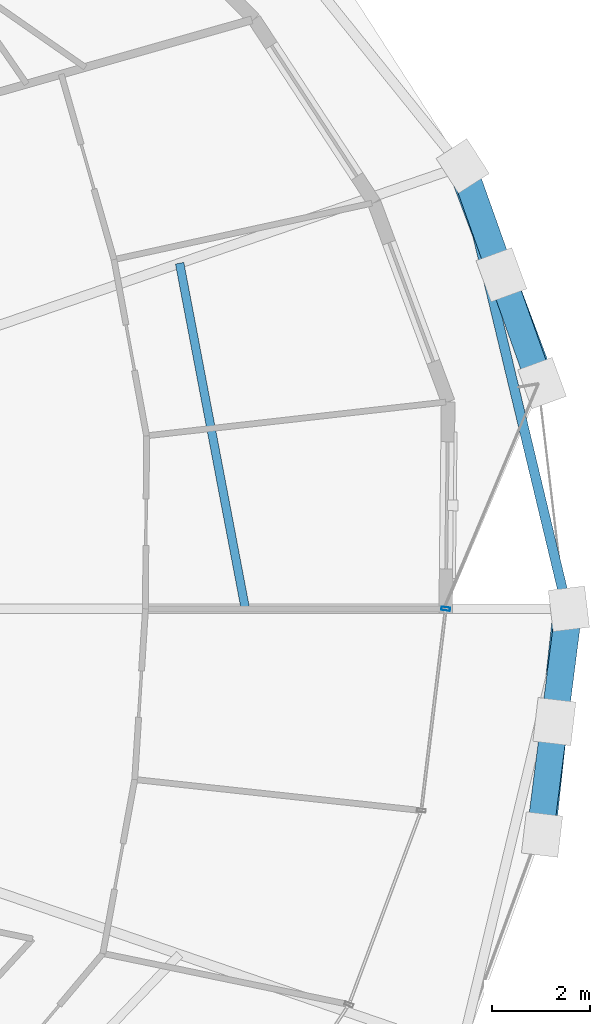
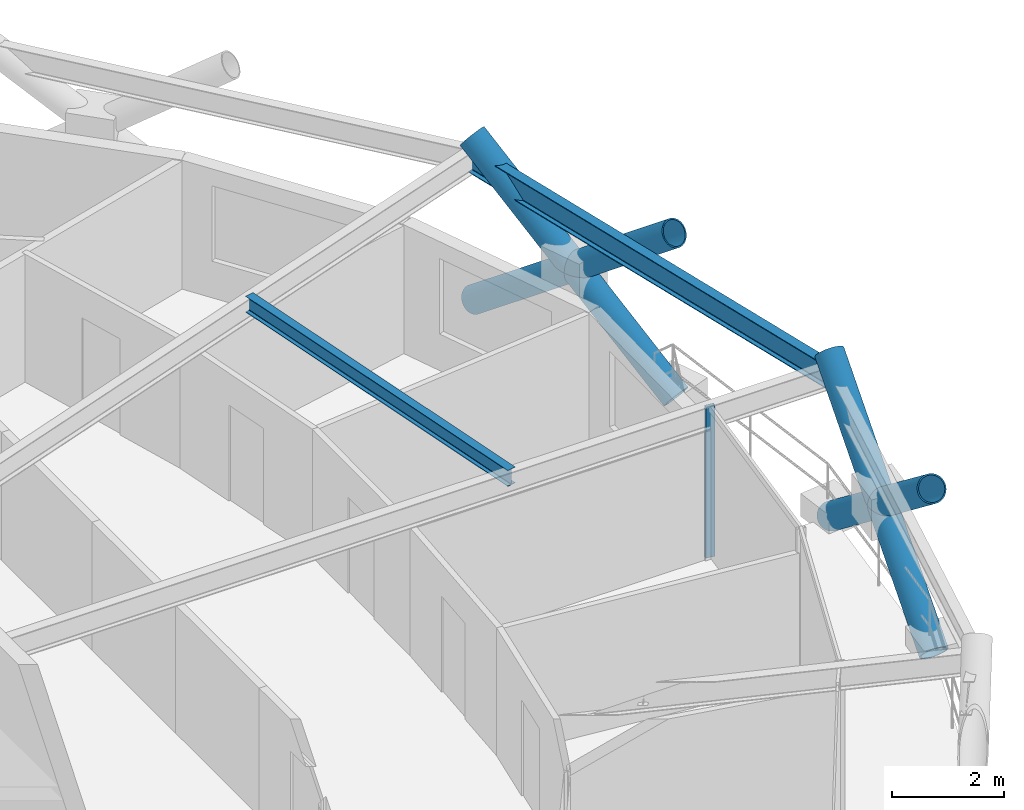
# One storey, part 10 of 20: 7 members, 2 beams, 1 element without a shape of its own.
"""IFC4 building model written with IfcOpenShell, lengths in metres."""

from ifc_helpers import new_model, si_unit, direction, frame, origin, origin_2d, place, context, subcontext, project, spatial, hollow_rectangle, hollow_circle, i_section, extrude, material, layer, layer_set, material_profile, profile_set, type_object, element, aggregate, save


model = new_model("IFC4")

# Units and contexts
model_context = context("Model", 3, precision=1e-05, world=origin(), true_north=direction((0.0, 1.0)))
body_context = subcontext(model_context, "Body", "Model", "MODEL_VIEW")
ifc_project = project(units=[si_unit("LENGTHUNIT", "METRE"), si_unit("AREAUNIT", "SQUARE_METRE"), si_unit("VOLUMEUNIT", "CUBIC_METRE"), si_unit("PLANEANGLEUNIT", "RADIAN"), si_unit("MASSUNIT", "GRAM", prefix="KILO")], contexts=[model_context])

# Site, building, storey
site_placement = place(None, origin())
site = spatial("IfcSite", under=ifc_project, at=site_placement, CompositionType="ELEMENT")
building_placement = place(site_placement, origin())
building = spatial("IfcBuilding", under=site, at=building_placement, Name="Veldorina Hangang Commons", CompositionType="ELEMENT")
storey_placement = place(building_placement, frame((0.0, 0.0, 131.60009765625)))
storey = spatial("IfcBuildingStorey", under=building, at=storey_placement, Name="L33", CompositionType="ELEMENT", Elevation=131.60009765625)

# Beams
ifc_material_1 = material(Name="Steel SM355-TMC", Category="steel")
ifc_material_profile_1 = material_profile(ifc_material_1, i_section(OverallWidth=0.175048828125, OverallDepth=0.35009765625, WebThickness=0.007080078125, FlangeThickness=0.010986328125, FilletRadius=0.012939453125, at=origin_2d()), Name="H-350x175x7x11")
ifc_profile_set_1 = profile_set([ifc_material_profile_1], Name="Steel SM355-TMC")
beam_type_1 = type_object("IfcBeamType", Name="BM-JST350", PredefinedType="JOIST", material=ifc_profile_set_1)
beam_1_placement = place(storey_placement, frame((53.9228515625, 24.0, 3.1748046875), z_axis=(-0.186879924377, 0.98238276342, 0.0), x_axis=(-0.98238276342, -0.186879924377, 0.0)))
element("IfcBeam", 1, at=beam_1_placement, inside=storey, type_object=beam_type_1, Name="L33 secondary floor joist 01", PredefinedType="JOIST", context=body_context, shape_type="SweptSolid", body=[
    extrude(i_section(OverallWidth=0.175048828125, OverallDepth=0.35009765625, WebThickness=0.007080078125, FlangeThickness=0.010986328125, FilletRadius=0.012939453125, at=origin_2d()), origin(), (0.0, 0.0, 1.0), 7.19970703125),
])
ifc_material_2 = material(Name="Steel SM420-TMC", Category="steel")
ifc_material_profile_2 = material_profile(ifc_material_2, i_section(OverallWidth=0.199951171875, OverallDepth=0.5, WebThickness=0.010009765625, FlangeThickness=0.01611328125, FilletRadius=0.01611328125, at=origin_2d()), Name="H-500x200x10x16")
ifc_profile_set_2 = profile_set([ifc_material_profile_2], Name="Steel SM420-TMC")
beam_type_2 = type_object("IfcBeamType", Name="BM-RB500", PredefinedType="BEAM", material=ifc_profile_set_2)
beam_2_placement = place(storey_placement, frame((60.507080078125, 24.0, 3.099853515625), z_axis=(-0.23310115585, 0.972452493, 0.0), x_axis=(-0.972452493, -0.23310115585, 0.0)))
element("IfcBeam", 2, at=beam_2_placement, inside=storey, type_object=beam_type_2, Name="L33 perimeter hoop ring beam 00", PredefinedType="BEAM", context=body_context, shape_type="SweptSolid", body=[
    extrude(i_section(OverallWidth=0.199951171875, OverallDepth=0.5, WebThickness=0.010009765625, FlangeThickness=0.01611328125, FilletRadius=0.01611328125, at=origin_2d()), origin(), (0.0, 0.0, 1.0), 9.308837890625),
])

# Curtain wall, member
ifc_material_3 = material(Name="Glass Low-E Triple IGU", Category="glass")
ifc_layer = layer(ifc_material_3, 0.179931640625)
ifc_layer_set = layer_set([ifc_layer], Name="Glass Low-E Triple IGU")
curtain_wall_type = type_object("IfcCurtainWallType", Name="CW-SYS-Z2", PredefinedType="NOTDEFINED", material=ifc_layer_set)
curtain_wall_placement = place(storey_placement, origin())
curtain_wall = element("IfcCurtainWall", 3, at=curtain_wall_placement, inside=storey, type_object=curtain_wall_type, Name="L33 unitised curtain wall CW-L33-R2", PredefinedType="NOTDEFINED")
ifc_material_4 = material(Name="Aluminium Anodized AA6063-T6", Category="aluminium")
ifc_material_profile_3 = material_profile(ifc_material_4, hollow_rectangle(XDim=0.070068359375, YDim=0.179931640625, WallThickness=0.00390625, at=origin_2d()), Name="ALU-RHS-180x70x4")
ifc_profile_set_3 = profile_set([ifc_material_profile_3], Name="Aluminium Anodized AA6063-T6")
member_type_1 = type_object("IfcMemberType", Name="CW-MUL-180", PredefinedType="MULLION", material=ifc_profile_set_3)
member_1_placement = place(storey_placement, frame((58.023681640625, 24.0, 0.0), z_axis=(0.0, 0.0, 1.0), x_axis=(-0.120240799481, -0.992744755786, 0.0)))
member_1 = element("IfcMember", 4, at=member_1_placement, type_object=member_type_1, Name="CW-L33-R2 vertical mullion 5", PredefinedType="MULLION", context=body_context, shape_type="SweptSolid", body=[
    extrude(hollow_rectangle(XDim=0.070068359375, YDim=0.179931640625, WallThickness=0.00390625, at=origin_2d()), origin(), (0.0, 0.0, 1.0), 3.309814453125),
])
aggregate(curtain_wall, [member_1])

# Members
ifc_material_profile_4 = material_profile(ifc_material_2, hollow_circle(Radius=0.27490234375, WallThickness=0.028076171875, at=origin_2d()), Name="CHS-550x28")
ifc_profile_set_4 = profile_set([ifc_material_profile_4], Name="Steel SM420-TMC")
member_type_2 = type_object("IfcMemberType", Name="DG-CHS550", PredefinedType="BRACE", material=ifc_profile_set_4)
member_2_placement = place(storey_placement, frame((59.9951171875, 28.619873046875, 0.0), z_axis=(-0.279724919403, 0.745153025429, 0.605393209541), x_axis=(-0.936208287045, -0.351445647674, 0.0)))
element("IfcMember", 5, at=member_2_placement, inside=storey, type_object=member_type_2, Name="L33 continuous perimeter diagrid brace 01", PredefinedType="BRACE", context=body_context, shape_type="SweptSolid", body=[
    extrude(hollow_circle(Radius=0.27490234375, WallThickness=0.028076171875, at=origin_2d()), origin(), (0.0, 0.0, 1.0), 5.9462890625),
])
member_3_placement = place(storey_placement, frame((58.370849609375, 33.062255859375, 0.0), z_axis=(0.266707282847, -0.749163908521, 0.606317296013), x_axis=(0.942080493467, 0.335386856972, 0.0)))
element("IfcMember", 6, at=member_3_placement, inside=storey, type_object=member_type_2, Name="L33 split perimeter diagrid lower brace 02", PredefinedType="BRACE", context=body_context, shape_type="SweptSolid", body=[
    extrude(hollow_circle(Radius=0.27490234375, WallThickness=0.028076171875, at=origin_2d()), origin(), (0.0, 0.0, 1.0), 2.970458984375),
])
member_4_placement = place(storey_placement, frame((59.1630859375, 30.8369140625, 1.801025390625), z_axis=(0.266456401721, -0.74925433529, 0.606315864077), x_axis=(0.942192912403, 0.335070911627, 0.0)))
element("IfcMember", 7, at=member_4_placement, inside=storey, type_object=member_type_2, Name="L33 split perimeter diagrid upper brace 02", PredefinedType="BRACE", context=body_context, shape_type="SweptSolid", body=[
    extrude(hollow_circle(Radius=0.27490234375, WallThickness=0.028076171875, at=origin_2d()), origin(), (0.0, 0.0, 1.0), 2.966796875),
])
member_5_placement = place(storey_placement, frame((59.9951171875, 19.380126953125, 0.0), z_axis=(0.086092057442, 0.785875544126, 0.61236246357), x_axis=(-0.99405295833, 0.108897731999, 0.0)))
element("IfcMember", 8, at=member_5_placement, inside=storey, type_object=member_type_2, Name="L33 continuous perimeter diagrid brace 31", PredefinedType="BRACE", context=body_context, shape_type="SweptSolid", body=[
    extrude(hollow_circle(Radius=0.27490234375, WallThickness=0.028076171875, at=origin_2d()), origin(), (0.0, 0.0, 1.0), 5.878662109375),
])
member_6_placement = place(storey_placement, frame((60.543701171875, 24.0, 0.0), z_axis=(-0.10038118462, -0.784466513857, 0.611993387555), x_axis=(0.991912169045, -0.126926155303, 0.0)))
element("IfcMember", 9, at=member_6_placement, inside=storey, type_object=member_type_2, Name="L33 split perimeter diagrid lower brace 00", PredefinedType="BRACE", context=body_context, shape_type="SweptSolid", body=[
    extrude(hollow_circle(Radius=0.27490234375, WallThickness=0.028076171875, at=origin_2d()), origin(), (0.0, 0.0, 1.0), 2.94287109375),
])
member_7_placement = place(storey_placement, frame((60.248291015625, 21.69140625, 1.801025390625), z_axis=(-0.100265451955, -0.784429712354, 0.612059527759), x_axis=(0.991929834703, -0.126788023985, 0.0)))
element("IfcMember", 10, at=member_7_placement, inside=storey, type_object=member_type_2, Name="L33 split perimeter diagrid upper brace 00", PredefinedType="BRACE", context=body_context, shape_type="SweptSolid", body=[
    extrude(hollow_circle(Radius=0.27490234375, WallThickness=0.028076171875, at=origin_2d()), origin(), (0.0, 0.0, 1.0), 2.93896484375),
])

save(model, "model.ifc")
